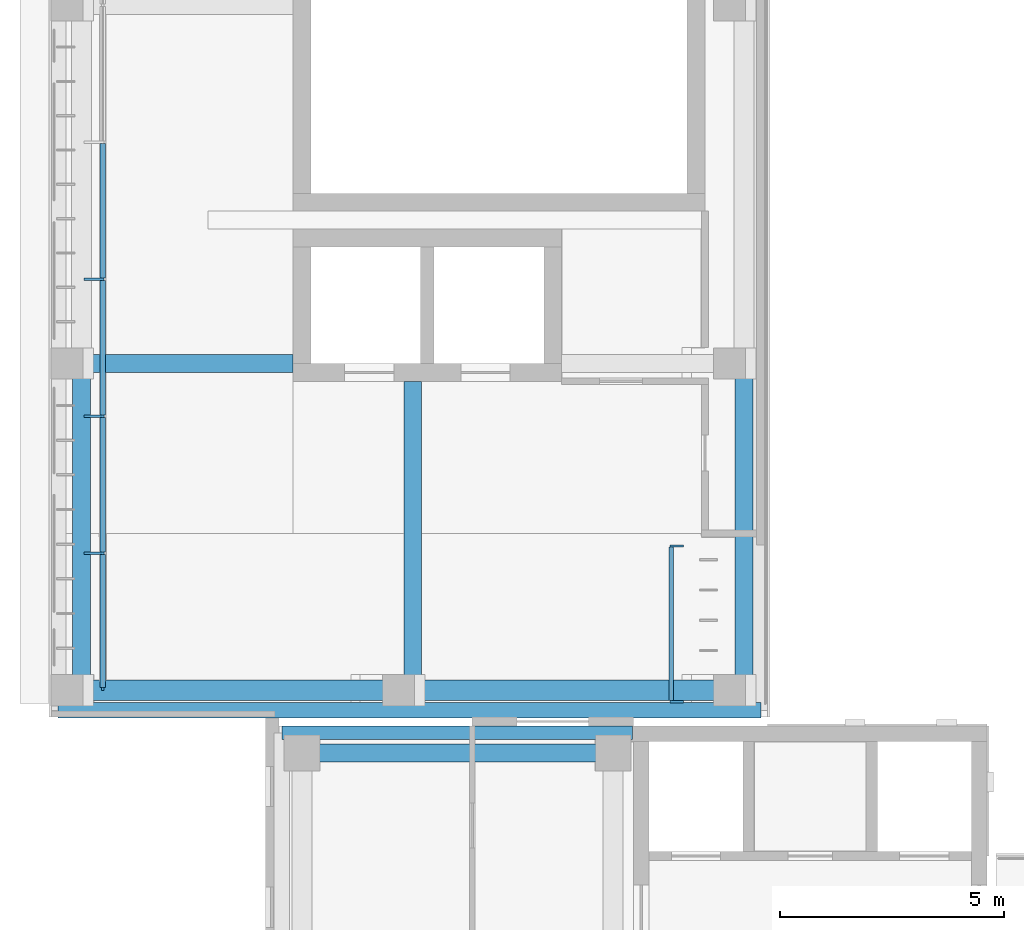
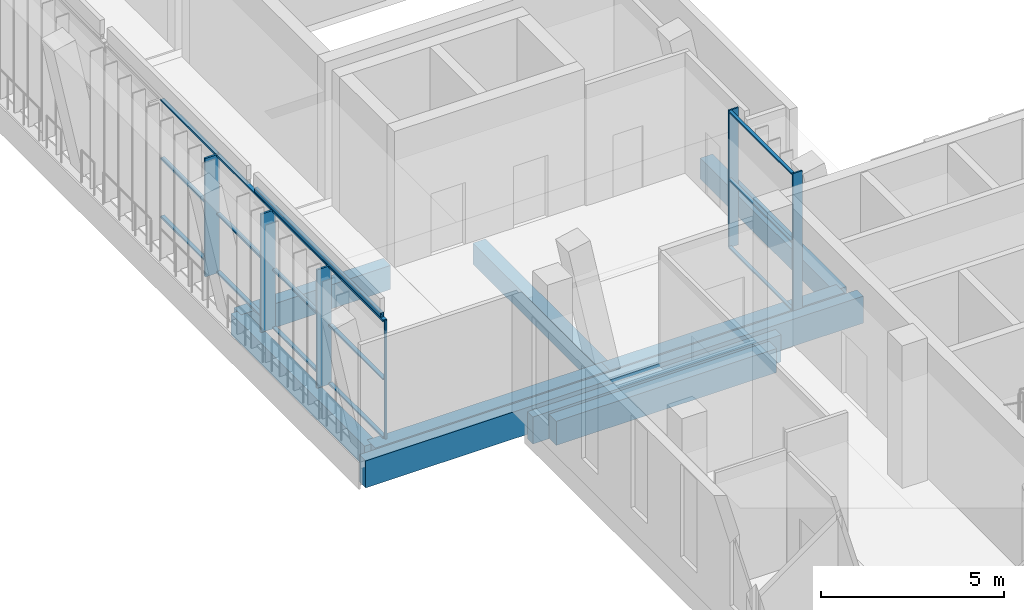
# One storey, part 13 of 73: 21 members, 10 beams, 2 elements without a shape of their own.
"""IFC4 building model written with IfcOpenShell, lengths in metres."""

from ifc_helpers import new_model, si_unit, direction, frame, origin, origin_2d, place, context, subcontext, project, spatial, rectangle, hollow_rectangle, extrude, material, material_profile, profile_set, type_object, element, aggregate, save


model = new_model("IFC4")

# Units and contexts
model_context = context("Model", 3, precision=1e-05, world=origin(), true_north=direction((0.0, 1.0)))
body_context = subcontext(model_context, "Body", "Model", "MODEL_VIEW")
ifc_project = project(units=[si_unit("LENGTHUNIT", "METRE"), si_unit("AREAUNIT", "SQUARE_METRE"), si_unit("VOLUMEUNIT", "CUBIC_METRE"), si_unit("PLANEANGLEUNIT", "RADIAN"), si_unit("MASSUNIT", "GRAM", prefix="KILO")], contexts=[model_context])

# Site, building, storey
site_placement = place(None, origin())
site = spatial("IfcSite", under=ifc_project, at=site_placement, CompositionType="ELEMENT")
building_placement = place(site_placement, origin())
building = spatial("IfcBuilding", under=site, at=building_placement, Name="Lantern Court Media Centre", CompositionType="ELEMENT")
storey_placement = place(building_placement, frame((0.0, 0.0, 24.0)))
storey = spatial("IfcBuildingStorey", under=building, at=storey_placement, Name="L05", CompositionType="ELEMENT", Elevation=24.0)

# Curtain wall, members
ifc_material_1 = material(Name="Curtain wall bay 2400")
curtain_wall_type_1 = type_object("IfcCurtainWallType", Name="Curtain wall bay 2400", PredefinedType="NOTDEFINED", material=ifc_material_1)
curtain_wall_1_placement = place(storey_placement, origin())
curtain_wall_1 = element("IfcCurtainWall", 1, at=curtain_wall_1_placement, inside=storey, type_object=curtain_wall_type_1, Name="Curtain wall W inner L05", PredefinedType="NOTDEFINED")
ifc_material_2 = material(Name="Anodised aluminium", Category="aluminium")
ifc_material_profile_1 = material_profile(ifc_material_2, rectangle(XDim=0.300048828125, YDim=0.050048828125, at=origin_2d()), Name="AL 50x300")
ifc_profile_set_1 = profile_set([ifc_material_profile_1], Name="Anodised aluminium")
member_type_1 = type_object("IfcMemberType", Name="Curtain wall mullion 50x300", PredefinedType="MULLION", material=ifc_profile_set_1)
member_1_placement = place(storey_placement, frame((16.969970703125, 64.445068359375, 0.0), z_axis=(0.0, 0.0, 1.0), x_axis=(-1.0, 0.0, 0.0)))
member_1 = element("IfcMember", 2, at=member_1_placement, type_object=member_type_1, Name="CW2 mullion 1", PredefinedType="MULLION", context=body_context, shape_type="SweptSolid", body=[
    extrude(rectangle(XDim=0.300048828125, YDim=0.050048828125, at=origin_2d()), origin(), (0.0, 0.0, 1.0), 4.580078125),
])
member_2_placement = place(storey_placement, frame((16.969970703125, 67.925048828125, 0.0), z_axis=(0.0, 0.0, 1.0), x_axis=(-1.0, 0.0, 0.0)))
member_2 = element("IfcMember", 3, at=member_2_placement, type_object=member_type_1, Name="CW2 mullion 2", PredefinedType="MULLION", context=body_context, shape_type="SweptSolid", body=[
    extrude(rectangle(XDim=0.300048828125, YDim=0.050048828125, at=origin_2d()), origin(), (0.0, 0.0, 1.0), 4.580078125),
])

ifc_material_3 = material(Name="Curtain wall bay 3000")
curtain_wall_type_2 = type_object("IfcCurtainWallType", Name="Curtain wall bay 3000", PredefinedType="NOTDEFINED", material=ifc_material_3)
curtain_wall_2_placement = place(storey_placement, origin())
curtain_wall_2 = element("IfcCurtainWall", 4, at=curtain_wall_2_placement, inside=storey, type_object=curtain_wall_type_2, Name="Curtain wall W outer L05", PredefinedType="NOTDEFINED")
ifc_material_profile_2 = material_profile(ifc_material_2, rectangle(XDim=0.449951171875, YDim=0.06005859375, at=origin_2d()), Name="AL 60x450")
ifc_profile_set_2 = profile_set([ifc_material_profile_2], Name="Anodised aluminium")
member_type_2 = type_object("IfcMemberType", Name="Curtain wall mullion 60x450", PredefinedType="MULLION", material=ifc_profile_set_2)
member_3_placement = place(storey_placement, frame((3.955078125, 67.760009765625, 0.0), z_axis=(0.0, 0.0, 1.0), x_axis=(-1.0, 0.0, 0.0)))
member_3 = element("IfcMember", 5, at=member_3_placement, type_object=member_type_2, Name="CW1 mullion 2", PredefinedType="MULLION", context=body_context, shape_type="SweptSolid", body=[
    extrude(rectangle(XDim=0.449951171875, YDim=0.06005859375, at=origin_2d()), origin(), (0.0, 0.0, 1.0), 3.949951171875),
])
member_4_placement = place(storey_placement, frame((3.955078125, 70.820068359375, 0.0), z_axis=(0.0, 0.0, 1.0), x_axis=(-1.0, 0.0, 0.0)))
member_4 = element("IfcMember", 6, at=member_4_placement, type_object=member_type_2, Name="CW1 mullion 3", PredefinedType="MULLION", context=body_context, shape_type="SweptSolid", body=[
    extrude(rectangle(XDim=0.449951171875, YDim=0.06005859375, at=origin_2d()), origin(), (0.0, 0.0, 1.0), 3.949951171875),
])
member_5_placement = place(storey_placement, frame((3.955078125, 73.8798828125, 0.0), z_axis=(0.0, 0.0, 1.0), x_axis=(-1.0, 0.0, 0.0)))
member_5 = element("IfcMember", 7, at=member_5_placement, type_object=member_type_2, Name="CW1 mullion 4", PredefinedType="MULLION", context=body_context, shape_type="SweptSolid", body=[
    extrude(rectangle(XDim=0.449951171875, YDim=0.06005859375, at=origin_2d()), origin(), (0.0, 0.0, 1.0), 3.949951171875),
])
ifc_material_profile_3 = material_profile(ifc_material_2, rectangle(XDim=0.06005859375, YDim=0.06005859375, at=origin_2d()), Name="AL 60x60")
ifc_profile_set_3 = profile_set([ifc_material_profile_3], Name="Anodised aluminium")
member_type_3 = type_object("IfcMemberType", Name="Curtain wall mullion 60x60", PredefinedType="MULLION", material=ifc_profile_set_3)
member_6_placement = place(storey_placement, frame((4.14990234375, 64.72998046875, 0.0), z_axis=(0.0, 0.0, 1.0), x_axis=(-1.0, 0.0, 0.0)))
member_6 = element("IfcMember", 8, at=member_6_placement, type_object=member_type_3, Name="CW1 mullion 1", PredefinedType="MULLION", context=body_context, shape_type="SweptSolid", body=[
    extrude(rectangle(XDim=0.06005859375, YDim=0.06005859375, at=origin_2d()), origin(), (0.0, 0.0, 1.0), 3.949951171875),
])

# Member
ifc_material_profile_4 = material_profile(ifc_material_2, rectangle(XDim=0.10009765625, YDim=0.050048828125, at=origin_2d()), Name="AL 50x100")
ifc_profile_set_4 = profile_set([ifc_material_profile_4], Name="Anodised aluminium")
member_type_4 = type_object("IfcMemberType", Name="Curtain wall transom 100x50", PredefinedType="USERDEFINED", material=ifc_profile_set_4)
member_7_placement = place(storey_placement, frame((16.85009765625, 64.469970703125, 0.02490234375), z_axis=(0.0, 1.0, 0.0), x_axis=(-1.0, 0.0, 0.0)))
member_7 = element("IfcMember", 9, at=member_7_placement, type_object=member_type_4, Name="CW2 transom 1.1", ObjectType="TRANSOM", PredefinedType="USERDEFINED", context=body_context, shape_type="SweptSolid", body=[
    extrude(rectangle(XDim=0.10009765625, YDim=0.050048828125, at=origin_2d()), origin(), (0.0, 0.0, 1.0), 3.429931640625),
])

member_8_placement = place(storey_placement, frame((16.85009765625, 64.469970703125, 2.2900390625), z_axis=(0.0, 1.0, 0.0), x_axis=(-1.0, 0.0, 0.0)))
member_8 = element("IfcMember", 10, at=member_8_placement, type_object=member_type_4, Name="CW2 transom 1.2", ObjectType="TRANSOM", PredefinedType="USERDEFINED", context=body_context, shape_type="SweptSolid", body=[
    extrude(rectangle(XDim=0.10009765625, YDim=0.050048828125, at=origin_2d()), origin(), (0.0, 0.0, 1.0), 3.429931640625),
])

member_9_placement = place(storey_placement, frame((16.85009765625, 64.469970703125, 4.554931640625), z_axis=(0.0, 1.0, 0.0), x_axis=(-1.0, 0.0, 0.0)))
member_9 = element("IfcMember", 11, at=member_9_placement, type_object=member_type_4, Name="CW2 transom 1.3", ObjectType="TRANSOM", PredefinedType="USERDEFINED", context=body_context, shape_type="SweptSolid", body=[
    extrude(rectangle(XDim=0.10009765625, YDim=0.050048828125, at=origin_2d()), origin(), (0.0, 0.0, 1.0), 3.429931640625),
])

aggregate(curtain_wall_1, [member_1, member_2, member_7, member_8, member_9])

ifc_material_profile_5 = material_profile(ifc_material_2, rectangle(XDim=0.1201171875, YDim=0.06005859375, at=origin_2d()), Name="AL 60x120")
ifc_profile_set_5 = profile_set([ifc_material_profile_5], Name="Anodised aluminium")
member_type_5 = type_object("IfcMemberType", Name="Curtain wall transom 60x120", PredefinedType="USERDEFINED", material=ifc_profile_set_5)
member_10_placement = place(storey_placement, frame((4.14990234375, 64.760009765625, 0.030029296875), z_axis=(0.0, 1.0, 0.0), x_axis=(-1.0, 0.0, 0.0)))
member_10 = element("IfcMember", 12, at=member_10_placement, type_object=member_type_5, Name="CW1 transom 1.1", ObjectType="TRANSOM", PredefinedType="USERDEFINED", context=body_context, shape_type="SweptSolid", body=[
    extrude(rectangle(XDim=0.1201171875, YDim=0.06005859375, at=origin_2d()), origin(), (0.0, 0.0, 1.0), 2.969970703125),
])

member_11_placement = place(storey_placement, frame((4.14990234375, 64.760009765625, 1.97509765625), z_axis=(0.0, 1.0, 0.0), x_axis=(-1.0, 0.0, 0.0)))
member_11 = element("IfcMember", 13, at=member_11_placement, type_object=member_type_5, Name="CW1 transom 1.2", ObjectType="TRANSOM", PredefinedType="USERDEFINED", context=body_context, shape_type="SweptSolid", body=[
    extrude(rectangle(XDim=0.1201171875, YDim=0.06005859375, at=origin_2d()), origin(), (0.0, 0.0, 1.0), 2.969970703125),
])

member_12_placement = place(storey_placement, frame((4.14990234375, 64.760009765625, 3.919921875), z_axis=(0.0, 1.0, 0.0), x_axis=(-1.0, 0.0, 0.0)))
member_12 = element("IfcMember", 14, at=member_12_placement, type_object=member_type_5, Name="CW1 transom 1.3", ObjectType="TRANSOM", PredefinedType="USERDEFINED", context=body_context, shape_type="SweptSolid", body=[
    extrude(rectangle(XDim=0.1201171875, YDim=0.06005859375, at=origin_2d()), origin(), (0.0, 0.0, 1.0), 2.969970703125),
])

member_13_placement = place(storey_placement, frame((4.14990234375, 67.7900390625, 0.030029296875), z_axis=(0.0, 1.0, 0.0), x_axis=(-1.0, 0.0, 0.0)))
member_13 = element("IfcMember", 15, at=member_13_placement, type_object=member_type_5, Name="CW1 transom 2.1", ObjectType="TRANSOM", PredefinedType="USERDEFINED", context=body_context, shape_type="SweptSolid", body=[
    extrude(rectangle(XDim=0.1201171875, YDim=0.06005859375, at=origin_2d()), origin(), (0.0, 0.0, 1.0), 3.0),
])

member_14_placement = place(storey_placement, frame((4.14990234375, 67.7900390625, 1.97509765625), z_axis=(0.0, 1.0, 0.0), x_axis=(-1.0, 0.0, 0.0)))
member_14 = element("IfcMember", 16, at=member_14_placement, type_object=member_type_5, Name="CW1 transom 2.2", ObjectType="TRANSOM", PredefinedType="USERDEFINED", context=body_context, shape_type="SweptSolid", body=[
    extrude(rectangle(XDim=0.1201171875, YDim=0.06005859375, at=origin_2d()), origin(), (0.0, 0.0, 1.0), 3.0),
])

member_15_placement = place(storey_placement, frame((4.14990234375, 67.7900390625, 3.919921875), z_axis=(0.0, 1.0, 0.0), x_axis=(-1.0, 0.0, 0.0)))
member_15 = element("IfcMember", 17, at=member_15_placement, type_object=member_type_5, Name="CW1 transom 2.3", ObjectType="TRANSOM", PredefinedType="USERDEFINED", context=body_context, shape_type="SweptSolid", body=[
    extrude(rectangle(XDim=0.1201171875, YDim=0.06005859375, at=origin_2d()), origin(), (0.0, 0.0, 1.0), 3.0),
])

member_16_placement = place(storey_placement, frame((4.14990234375, 70.85009765625, 0.030029296875), z_axis=(0.0, 1.0, 0.0), x_axis=(-1.0, 0.0, 0.0)))
member_16 = element("IfcMember", 18, at=member_16_placement, type_object=member_type_5, Name="CW1 transom 3.1", ObjectType="TRANSOM", PredefinedType="USERDEFINED", context=body_context, shape_type="SweptSolid", body=[
    extrude(rectangle(XDim=0.1201171875, YDim=0.06005859375, at=origin_2d()), origin(), (0.0, 0.0, 1.0), 3.0),
])

member_17_placement = place(storey_placement, frame((4.14990234375, 70.85009765625, 1.97509765625), z_axis=(0.0, 1.0, 0.0), x_axis=(-1.0, 0.0, 0.0)))
member_17 = element("IfcMember", 19, at=member_17_placement, type_object=member_type_5, Name="CW1 transom 3.2", ObjectType="TRANSOM", PredefinedType="USERDEFINED", context=body_context, shape_type="SweptSolid", body=[
    extrude(rectangle(XDim=0.1201171875, YDim=0.06005859375, at=origin_2d()), origin(), (0.0, 0.0, 1.0), 3.0),
])

member_18_placement = place(storey_placement, frame((4.14990234375, 70.85009765625, 3.919921875), z_axis=(0.0, 1.0, 0.0), x_axis=(-1.0, 0.0, 0.0)))
member_18 = element("IfcMember", 20, at=member_18_placement, type_object=member_type_5, Name="CW1 transom 3.3", ObjectType="TRANSOM", PredefinedType="USERDEFINED", context=body_context, shape_type="SweptSolid", body=[
    extrude(rectangle(XDim=0.1201171875, YDim=0.06005859375, at=origin_2d()), origin(), (0.0, 0.0, 1.0), 3.0),
])

member_19_placement = place(storey_placement, frame((4.14990234375, 73.909912109375, 0.030029296875), z_axis=(0.0, 1.0, 0.0), x_axis=(-1.0, 0.0, 0.0)))
member_19 = element("IfcMember", 21, at=member_19_placement, type_object=member_type_5, Name="CW1 transom 4.1", ObjectType="TRANSOM", PredefinedType="USERDEFINED", context=body_context, shape_type="SweptSolid", body=[
    extrude(rectangle(XDim=0.1201171875, YDim=0.06005859375, at=origin_2d()), origin(), (0.0, 0.0, 1.0), 3.0),
])

member_20_placement = place(storey_placement, frame((4.14990234375, 73.909912109375, 1.97509765625), z_axis=(0.0, 1.0, 0.0), x_axis=(-1.0, 0.0, 0.0)))
member_20 = element("IfcMember", 22, at=member_20_placement, type_object=member_type_5, Name="CW1 transom 4.2", ObjectType="TRANSOM", PredefinedType="USERDEFINED", context=body_context, shape_type="SweptSolid", body=[
    extrude(rectangle(XDim=0.1201171875, YDim=0.06005859375, at=origin_2d()), origin(), (0.0, 0.0, 1.0), 3.0),
])

member_21_placement = place(storey_placement, frame((4.14990234375, 73.909912109375, 3.919921875), z_axis=(0.0, 1.0, 0.0), x_axis=(-1.0, 0.0, 0.0)))
member_21 = element("IfcMember", 23, at=member_21_placement, type_object=member_type_5, Name="CW1 transom 4.3", ObjectType="TRANSOM", PredefinedType="USERDEFINED", context=body_context, shape_type="SweptSolid", body=[
    extrude(rectangle(XDim=0.1201171875, YDim=0.06005859375, at=origin_2d()), origin(), (0.0, 0.0, 1.0), 3.0),
])

aggregate(curtain_wall_2, [member_6, member_3, member_4, member_5, member_10, member_11, member_12, member_13, member_14, member_15, member_16, member_17, member_18, member_19, member_20, member_21])

# Beams
ifc_material_4 = material(Name="Steel S355J2 (EN 10025-2)", Category="steel")
ifc_material_profile_6 = material_profile(ifc_material_4, hollow_rectangle(XDim=0.10009765625, YDim=0.14990234375, WallThickness=0.00634765625, InnerFilletRadius=0.00634765625, OuterFilletRadius=0.009521484375, at=origin_2d()), Name="Facade head lintel RHS 150x100x6.3")
ifc_profile_set_6 = profile_set([ifc_material_profile_6], Name="Steel S355J2 (EN 10025-2)")
beam_type_1 = type_object("IfcBeamType", Name="Facade head lintel RHS 150x100x6.3", PredefinedType="BEAM", material=ifc_profile_set_6)
beam_1_placement = place(storey_placement, frame((4.14990234375, 64.89990234375, 4.02490234375), z_axis=(0.0, 1.0, 0.0), x_axis=(-1.0, 0.0, 0.0)))
element("IfcBeam", 24, at=beam_1_placement, inside=storey, type_object=beam_type_1, Name="Facade head lintel W L05", PredefinedType="BEAM", context=body_context, shape_type="SweptSolid", body=[
    extrude(hollow_rectangle(XDim=0.10009765625, YDim=0.14990234375, WallThickness=0.00634765625, InnerFilletRadius=0.00634765625, OuterFilletRadius=0.009521484375, at=origin_2d()), origin(), (0.0, 0.0, 1.0), 6.900146484375),
])
ifc_material_5 = material(Name="Concrete C35", Category="concrete")
ifc_material_profile_7 = material_profile(ifc_material_5, rectangle(XDim=0.300048828125, YDim=0.89990234375, at=origin_2d()), Name="RC 300x900")
ifc_profile_set_7 = profile_set([ifc_material_profile_7], Name="Concrete C35")
beam_type_2 = type_object("IfcBeamType", Name="RC BEAM 300x900", PredefinedType="BEAM", material=ifc_profile_set_7)
beam_2_placement = place(storey_placement, frame((8.14990234375, 63.75, -0.449951171875), z_axis=(1.0, 0.0, 0.0), x_axis=(0.0, 1.0, 0.0)))
element("IfcBeam", 25, at=beam_2_placement, inside=storey, type_object=beam_type_2, Name="EB-SW-L05-N", PredefinedType="BEAM", context=body_context, shape_type="SweptSolid", body=[
    extrude(rectangle(XDim=0.300048828125, YDim=0.89990234375, at=origin_2d()), origin(), (0.0, 0.0, 1.0), 7.830078125),
])
ifc_material_profile_8 = material_profile(ifc_material_5, rectangle(XDim=0.35009765625, YDim=0.89990234375, at=origin_2d()), Name="RC 350x900")
ifc_profile_set_8 = profile_set([ifc_material_profile_8], Name="Concrete C35")
beam_type_3 = type_object("IfcBeamType", Name="RC BEAM 350x900", PredefinedType="BEAM", material=ifc_profile_set_8)
beam_3_placement = place(storey_placement, frame((3.14990234375, 64.25, -0.449951171875), z_axis=(1.0, 0.0, 0.0), x_axis=(0.0, 1.0, 0.0)))
element("IfcBeam", 26, at=beam_3_placement, inside=storey, type_object=beam_type_3, Name="EB-W-L05-C", PredefinedType="BEAM", context=body_context, shape_type="SweptSolid", body=[
    extrude(rectangle(XDim=0.35009765625, YDim=0.89990234375, at=origin_2d()), origin(), (0.0, 0.0, 1.0), 15.7001953125),
])
ifc_material_profile_9 = material_profile(ifc_material_5, rectangle(XDim=0.39990234375, YDim=0.699951171875, at=origin_2d()), Name="RC 400x700")
ifc_profile_set_9 = profile_set([ifc_material_profile_9], Name="Concrete C35")
beam_type_4 = type_object("IfcBeamType", Name="RC BEAM 400x700", PredefinedType="BEAM", material=ifc_profile_set_9)
beam_4_placement = place(storey_placement, frame((3.6728515625, 64.699951171875, -0.35009765625), z_axis=(0.0, 1.0, 0.0), x_axis=(-1.0, 0.0, 0.0)))
element("IfcBeam", 27, at=beam_4_placement, inside=storey, type_object=beam_type_4, Name="LB-W-L05-0-0", PredefinedType="BEAM", context=body_context, shape_type="SweptSolid", body=[
    extrude(rectangle(XDim=0.39990234375, YDim=0.699951171875, at=origin_2d()), origin(), (0.0, 0.0, 1.0), 7.300048828125),
])
beam_5_placement = place(storey_placement, frame((11.072998046875, 64.699951171875, -0.35009765625), z_axis=(0.0, 1.0, 0.0), x_axis=(-1.0, 0.0, 0.0)))
element("IfcBeam", 28, at=beam_5_placement, inside=storey, type_object=beam_type_4, Name="LB-W-L05-1-0", PredefinedType="BEAM", context=body_context, shape_type="SweptSolid", body=[
    extrude(rectangle(XDim=0.39990234375, YDim=0.699951171875, at=origin_2d()), origin(), (0.0, 0.0, 1.0), 6.900146484375),
])
beam_6_placement = place(storey_placement, frame((18.472900390625, 64.699951171875, -0.35009765625), z_axis=(0.0, 1.0, 0.0), x_axis=(-1.0, 0.0, 0.0)))
element("IfcBeam", 29, at=beam_6_placement, inside=storey, type_object=beam_type_4, Name="LB-W-L05-2-0", PredefinedType="BEAM", context=body_context, shape_type="SweptSolid", body=[
    extrude(rectangle(XDim=0.39990234375, YDim=0.699951171875, at=origin_2d()), origin(), (0.0, 0.0, 1.0), 7.300048828125),
])
ifc_material_profile_10 = material_profile(ifc_material_5, rectangle(XDim=0.39990234375, YDim=0.800048828125, at=origin_2d()), Name="RC 400x800")
ifc_profile_set_10 = profile_set([ifc_material_profile_10], Name="Concrete C35")
beam_type_5 = type_object("IfcBeamType", Name="RC BEAM 400x800", PredefinedType="BEAM", material=ifc_profile_set_10)
beam_7_placement = place(storey_placement, frame((8.60009765625, 63.300048828125, -0.39990234375), z_axis=(1.0, 0.0, 0.0), x_axis=(0.0, 1.0, 0.0)))
element("IfcBeam", 30, at=beam_7_placement, inside=storey, type_object=beam_type_5, Name="BB-SW-L05-Y0-63", PredefinedType="BEAM", context=body_context, shape_type="SweptSolid", body=[
    extrude(rectangle(XDim=0.39990234375, YDim=0.800048828125, at=origin_2d()), origin(), (0.0, 0.0, 1.0), 6.949951171875),
])
beam_8_placement = place(storey_placement, frame((3.683349609375, 72.0, -0.39990234375), z_axis=(1.0, 0.0, 0.0), x_axis=(0.0, 1.0, 0.0)))
element("IfcBeam", 31, at=beam_8_placement, inside=storey, type_object=beam_type_5, Name="TB-W-L05-1-1", PredefinedType="BEAM", context=body_context, shape_type="SweptSolid", body=[
    extrude(rectangle(XDim=0.39990234375, YDim=0.800048828125, at=origin_2d()), origin(), (0.0, 0.0, 1.0), 4.716552734375),
])
ifc_material_profile_11 = material_profile(ifc_material_5, rectangle(XDim=0.449951171875, YDim=0.800048828125, at=origin_2d()), Name="RC 450x800")
ifc_profile_set_11 = profile_set([ifc_material_profile_11], Name="Concrete C35")
beam_type_6 = type_object("IfcBeamType", Name="RC BEAM 450x800", PredefinedType="BEAM", material=ifc_profile_set_11)
beam_9_placement = place(storey_placement, frame((3.683349609375, 64.699951171875, -0.39990234375), z_axis=(1.0, 0.0, 0.0), x_axis=(0.0, 1.0, 0.0)))
element("IfcBeam", 32, at=beam_9_placement, inside=storey, type_object=beam_type_6, Name="TB-W-L05-0-1", PredefinedType="BEAM", context=body_context, shape_type="SweptSolid", body=[
    extrude(rectangle(XDim=0.449951171875, YDim=0.800048828125, at=origin_2d()), origin(), (0.0, 0.0, 1.0), 7.39990234375),
])
beam_10_placement = place(storey_placement, frame((11.083251953125, 64.699951171875, -0.39990234375), z_axis=(1.0, 0.0, 0.0), x_axis=(0.0, 1.0, 0.0)))
element("IfcBeam", 33, at=beam_10_placement, inside=storey, type_object=beam_type_6, Name="TB-W-L05-0-2", PredefinedType="BEAM", context=body_context, shape_type="SweptSolid", body=[
    extrude(rectangle(XDim=0.449951171875, YDim=0.800048828125, at=origin_2d()), origin(), (0.0, 0.0, 1.0), 7.400146484375),
])

save(model, "model.ifc")
